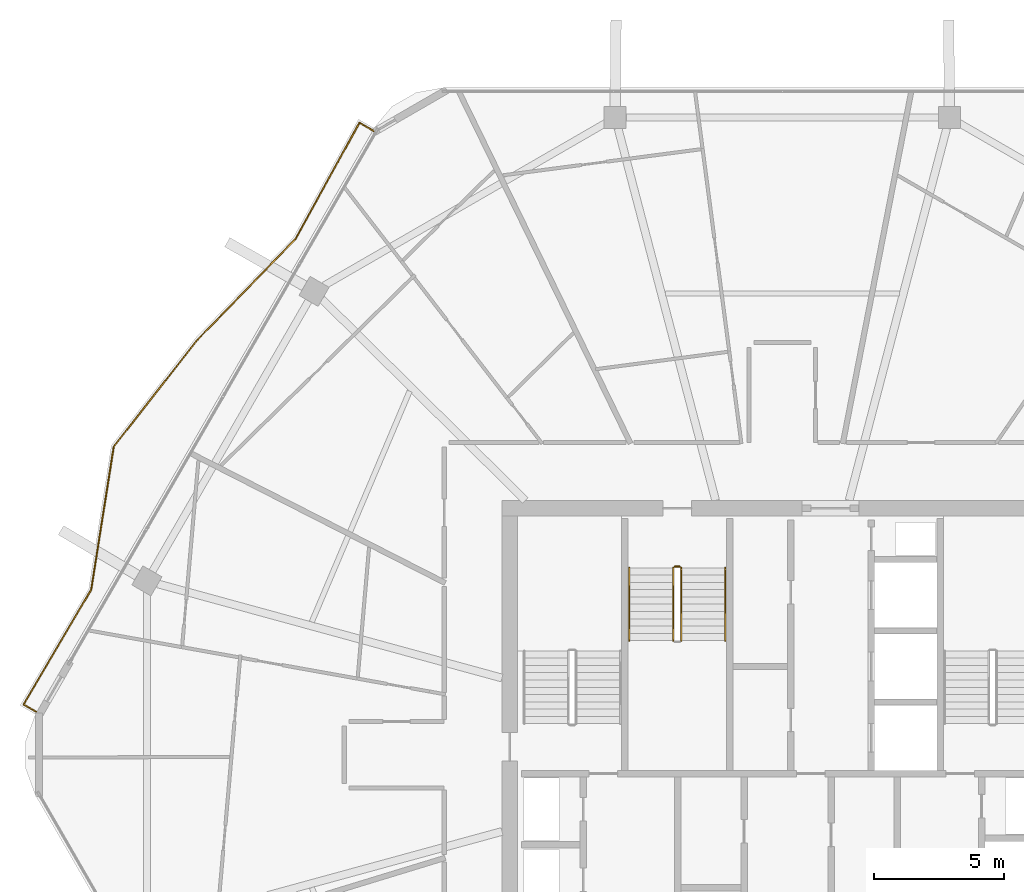
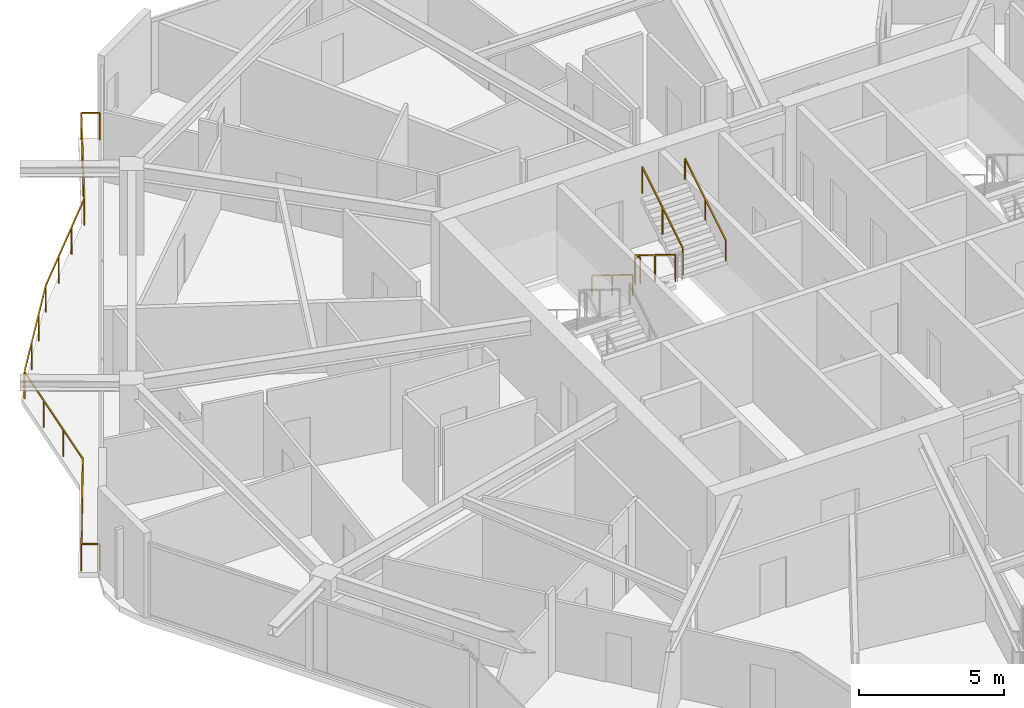
# One storey, part 26 of 26: 6 railings.
"""IFC4 building model written with IfcOpenShell, lengths in metres."""

from ifc_helpers import new_model, si_unit, direction, frame, origin, origin_2d, place, context, subcontext, project, spatial, rectangle, extrude, material, type_object, element, save


model = new_model("IFC4")

# Units and contexts
model_context = context("Model", 3, precision=1e-05, world=origin(), true_north=direction((0.0, 1.0)))
body_context = subcontext(model_context, "Body", "Model", "MODEL_VIEW")
ifc_project = project(units=[si_unit("LENGTHUNIT", "METRE"), si_unit("AREAUNIT", "SQUARE_METRE"), si_unit("VOLUMEUNIT", "CUBIC_METRE"), si_unit("PLANEANGLEUNIT", "RADIAN"), si_unit("MASSUNIT", "GRAM", prefix="KILO")], contexts=[model_context])

# Site, building, storey
site_placement = place(None, origin())
site = spatial("IfcSite", under=ifc_project, at=site_placement, CompositionType="ELEMENT")
building_placement = place(site_placement, origin())
building = spatial("IfcBuilding", under=site, at=building_placement, Name="Zuhravey Tower", CompositionType="ELEMENT")
storey_placement = place(building_placement, frame((0.0, 0.0, 280.60009765625)))
storey = spatial("IfcBuildingStorey", under=building, at=storey_placement, Name="L71", CompositionType="ELEMENT", Elevation=280.60009765625)

# Railings
ifc_material_1 = material(Name="Stainless steel 316 and laminated glass", Category="steel")
railing_type_1 = type_object("IfcRailingType", Name="Balcony & Terrace Guardrail 1150", PredefinedType="BALUSTRADE", material=ifc_material_1)
railing_1_placement = place(storey_placement, frame((7.31689453125, 33.61669921875, 0.0)))
element("IfcRailing", 1, at=railing_1_placement, inside=storey, type_object=railing_type_1, Name="L71 Face 3 Wave Balcony Guardrail GR1", PredefinedType="BALUSTRADE", context=body_context, shape_type="SweptSolid", body=[
    extrude(rectangle(XDim=0.048095703125, YDim=0.048095703125, at=origin_2d()), frame((-0.001708984375, 0.0009765625, 1.1259765625), z_axis=(-0.866001097133, 0.500042097992, 0.0), x_axis=(-0.500042097992, -0.866001097133, 0.0)), (0.0, 0.0, 1.0), 0.635009765625),
    extrude(rectangle(XDim=0.048095703125, YDim=0.048095703125, at=origin_2d()), frame((-0.552490234375, 0.3212890625, 1.1259765625), z_axis=(0.507458486453, 0.861676206314, 0.0), x_axis=(-0.861676206314, 0.507458486453, 0.0)), (0.0, 0.0, 1.0), 5.130859375),
    extrude(rectangle(XDim=0.048095703125, YDim=0.048095703125, at=origin_2d()), frame((2.052490234375, 4.74609375, 1.1259765625), z_axis=(0.155874982723, 0.987776791467, 0.0), x_axis=(-0.987776791467, 0.155874982723, 0.0)), (0.0, 0.0, 1.0), 5.578125),
    extrude(rectangle(XDim=0.048095703125, YDim=0.048095703125, at=origin_2d()), frame((2.923583984375, 10.259521484375, 1.1259765625), z_axis=(0.616824692984, 0.787100564175, 0.0), x_axis=(-0.787100564175, 0.616824692984, 0.0)), (0.0, 0.0, 1.0), 5.233642578125),
    extrude(rectangle(XDim=0.048095703125, YDim=0.048095703125, at=origin_2d()), frame((6.154541015625, 14.382080078125, 1.1259765625), z_axis=(0.697760458343, 0.716331168367, 0.0), x_axis=(-0.716331168367, 0.697760458343, 0.0)), (0.0, 0.0, 1.0), 5.385986328125),
    extrude(rectangle(XDim=0.048095703125, YDim=0.048095703125, at=origin_2d()), frame((9.9150390625, 18.243408203125, 1.1259765625), z_axis=(0.482536200634, 0.875876027231, 0.0), x_axis=(-0.875876027231, 0.482536200634, 0.0)), (0.0, 0.0, 1.0), 5.125244140625),
    extrude(rectangle(XDim=0.048095703125, YDim=0.048095703125, at=origin_2d()), frame((12.390869140625, 22.7333984375, 1.1259765625), z_axis=(0.865854018966, -0.500296729792, 0.0), x_axis=(0.500296729792, 0.865854018966, 0.0)), (0.0, 0.0, 1.0), 0.6337890625),
    extrude(rectangle(XDim=0.0419921875, YDim=0.0419921875, at=origin_2d()), origin(), (0.0, 0.0, 1.0), 1.099853515625),
    extrude(rectangle(XDim=0.0419921875, YDim=0.0419921875, at=origin_2d()), frame((-0.553466796875, 0.319580078125, 0.0)), (0.0, 0.0, 1.0), 1.099853515625),
    extrude(rectangle(XDim=0.0419921875, YDim=0.0419921875, at=origin_2d()), frame((0.315185546875, 1.79443359375, 0.0)), (0.0, 0.0, 1.0), 1.099853515625),
    extrude(rectangle(XDim=0.0419921875, YDim=0.0419921875, at=origin_2d()), frame((1.18359375, 3.269287109375, 0.0)), (0.0, 0.0, 1.0), 1.099853515625),
    extrude(rectangle(XDim=0.0419921875, YDim=0.0419921875, at=origin_2d()), frame((2.05224609375, 4.744140625, 0.0)), (0.0, 0.0, 1.0), 1.099853515625),
    extrude(rectangle(XDim=0.0419921875, YDim=0.0419921875, at=origin_2d()), frame((2.34228515625, 6.58203125, 0.0)), (0.0, 0.0, 1.0), 1.099853515625),
    extrude(rectangle(XDim=0.0419921875, YDim=0.0419921875, at=origin_2d()), frame((2.63232421875, 8.420166015625, 0.0)), (0.0, 0.0, 1.0), 1.099853515625),
    extrude(rectangle(XDim=0.0419921875, YDim=0.0419921875, at=origin_2d()), frame((2.92236328125, 10.258056640625, 0.0)), (0.0, 0.0, 1.0), 1.099853515625),
    extrude(rectangle(XDim=0.0419921875, YDim=0.0419921875, at=origin_2d()), frame((3.999267578125, 11.63232421875, 0.0)), (0.0, 0.0, 1.0), 1.099853515625),
    extrude(rectangle(XDim=0.0419921875, YDim=0.0419921875, at=origin_2d()), frame((5.076171875, 13.00634765625, 0.0)), (0.0, 0.0, 1.0), 1.099853515625),
    extrude(rectangle(XDim=0.0419921875, YDim=0.0419921875, at=origin_2d()), frame((6.153076171875, 14.380615234375, 0.0)), (0.0, 0.0, 1.0), 1.099853515625),
    extrude(rectangle(XDim=0.0419921875, YDim=0.0419921875, at=origin_2d()), frame((7.40673828125, 15.667724609375, 0.0)), (0.0, 0.0, 1.0), 1.099853515625),
    extrude(rectangle(XDim=0.0419921875, YDim=0.0419921875, at=origin_2d()), frame((8.660400390625, 16.95458984375, 0.0)), (0.0, 0.0, 1.0), 1.099853515625),
    extrude(rectangle(XDim=0.0419921875, YDim=0.0419921875, at=origin_2d()), frame((9.9140625, 18.24169921875, 0.0)), (0.0, 0.0, 1.0), 1.099853515625),
    extrude(rectangle(XDim=0.0419921875, YDim=0.0419921875, at=origin_2d()), frame((10.739013671875, 19.7392578125, 0.0)), (0.0, 0.0, 1.0), 1.099853515625),
    extrude(rectangle(XDim=0.0419921875, YDim=0.0419921875, at=origin_2d()), frame((11.564208984375, 21.23681640625, 0.0)), (0.0, 0.0, 1.0), 1.099853515625),
    extrude(rectangle(XDim=0.0419921875, YDim=0.0419921875, at=origin_2d()), frame((12.38916015625, 22.734375, 0.0)), (0.0, 0.0, 1.0), 1.099853515625),
    extrude(rectangle(XDim=0.0419921875, YDim=0.0419921875, at=origin_2d()), frame((12.94140625, 22.415283203125, 0.0)), (0.0, 0.0, 1.0), 1.099853515625),
])
ifc_material_2 = material(Name="Brushed stainless steel", Category="steel")
railing_type_2 = type_object("IfcRailingType", Name="Stair Wall Handrail 900", PredefinedType="HANDRAIL", material=ifc_material_2)
railing_2_placement = place(storey_placement, frame((30.10009765625, 39.199951171875, 0.172607421875)))
element("IfcRailing", 2, at=railing_2_placement, inside=storey, type_object=railing_type_2, Name="L71 ST3 stair handrail 1", PredefinedType="HANDRAIL", context=body_context, shape_type="SweptSolid", body=[
    extrude(rectangle(XDim=0.048095703125, YDim=0.048095703125, at=origin_2d()), frame((0.0, -0.001708984375, 0.876953125), z_axis=(0.0, -0.851089632645, 0.525020415988), x_axis=(1.0, 0.0, 0.0)), (0.0, 0.0, 1.0), 3.285888671875),
    extrude(rectangle(XDim=0.0419921875, YDim=0.0419921875, at=origin_2d()), origin(), (0.0, 0.0, 1.0), 0.849853515625),
    extrude(rectangle(XDim=0.0419921875, YDim=0.0419921875, at=origin_2d()), frame((0.0, -1.39990234375, 0.86376953125)), (0.0, 0.0, 1.0), 0.849853515625),
    extrude(rectangle(XDim=0.0419921875, YDim=0.0419921875, at=origin_2d()), frame((0.0, -2.800048828125, 1.727294921875)), (0.0, 0.0, 1.0), 0.849853515625),
])
railing_3_placement = place(storey_placement, frame((33.800048828125, 36.39990234375, 2.072509765625)))
element("IfcRailing", 3, at=railing_3_placement, inside=storey, type_object=railing_type_2, Name="L71 ST3 stair handrail 2", PredefinedType="HANDRAIL", context=body_context, shape_type="SweptSolid", body=[
    extrude(rectangle(XDim=0.048095703125, YDim=0.048095703125, at=origin_2d()), frame((0.0, 0.001708984375, 0.876953125), z_axis=(0.0, 0.851089632645, 0.525020415988), x_axis=(-1.0, 0.0, 0.0)), (0.0, 0.0, 1.0), 3.285888671875),
    extrude(rectangle(XDim=0.0419921875, YDim=0.0419921875, at=origin_2d()), origin(), (0.0, 0.0, 1.0), 0.849853515625),
    extrude(rectangle(XDim=0.0419921875, YDim=0.0419921875, at=origin_2d()), frame((0.0, 1.39990234375, 0.86376953125)), (0.0, 0.0, 1.0), 0.849853515625),
    extrude(rectangle(XDim=0.0419921875, YDim=0.0419921875, at=origin_2d()), frame((0.0, 2.800048828125, 1.727294921875)), (0.0, 0.0, 1.0), 0.849853515625),
])
ifc_material_3 = material(Name="Painted tubular steel", Category="steel")
railing_type_3 = type_object("IfcRailingType", Name="Stair Well Guardrail 1150", PredefinedType="GUARDRAIL", material=ifc_material_3)
railing_4_placement = place(storey_placement, frame((31.800048828125, 39.199951171875, 0.172607421875)))
element("IfcRailing", 4, at=railing_4_placement, inside=storey, type_object=railing_type_3, Name="L71 ST3 stair guard 1", PredefinedType="GUARDRAIL", context=body_context, shape_type="SweptSolid", body=[
    extrude(rectangle(XDim=0.048095703125, YDim=0.048095703125, at=origin_2d()), frame((0.0, -0.001708984375, 1.126953125), z_axis=(0.0, -0.851089632645, 0.525020415988), x_axis=(1.0, 0.0, 0.0)), (0.0, 0.0, 1.0), 3.285888671875),
    extrude(rectangle(XDim=0.0419921875, YDim=0.0419921875, at=origin_2d()), origin(), (0.0, 0.0, 1.0), 1.099853515625),
    extrude(rectangle(XDim=0.0419921875, YDim=0.0419921875, at=origin_2d()), frame((0.0, -1.39990234375, 0.86376953125)), (0.0, 0.0, 1.0), 1.099853515625),
    extrude(rectangle(XDim=0.0419921875, YDim=0.0419921875, at=origin_2d()), frame((0.0, -2.800048828125, 1.727294921875)), (0.0, 0.0, 1.0), 1.099853515625),
])
railing_5_placement = place(storey_placement, frame((32.10009765625, 36.39990234375, 2.072509765625)))
element("IfcRailing", 5, at=railing_5_placement, inside=storey, type_object=railing_type_3, Name="L71 ST3 stair guard 3", PredefinedType="GUARDRAIL", context=body_context, shape_type="SweptSolid", body=[
    extrude(rectangle(XDim=0.048095703125, YDim=0.048095703125, at=origin_2d()), frame((0.0, 0.001708984375, 1.126953125), z_axis=(0.0, 0.851089632645, 0.525020415988), x_axis=(-1.0, 0.0, 0.0)), (0.0, 0.0, 1.0), 3.285888671875),
    extrude(rectangle(XDim=0.0419921875, YDim=0.0419921875, at=origin_2d()), origin(), (0.0, 0.0, 1.0), 1.099853515625),
    extrude(rectangle(XDim=0.0419921875, YDim=0.0419921875, at=origin_2d()), frame((0.0, 1.39990234375, 0.86376953125)), (0.0, 0.0, 1.0), 1.099853515625),
    extrude(rectangle(XDim=0.0419921875, YDim=0.0419921875, at=origin_2d()), frame((0.0, 2.800048828125, 1.727294921875)), (0.0, 0.0, 1.0), 1.099853515625),
])
railing_6_placement = place(storey_placement, frame((31.85009765625, 39.25, 0.0)))
element("IfcRailing", 6, at=railing_6_placement, inside=storey, type_object=railing_type_3, Name="L71 ST3 stair guard 4", PredefinedType="GUARDRAIL", context=body_context, shape_type="SweptSolid", body=[
    extrude(rectangle(XDim=0.048095703125, YDim=0.048095703125, at=origin_2d()), frame((0.001953125, 0.0, 1.1259765625), z_axis=(1.0, 0.0, 0.0), x_axis=(0.0, 1.0, 0.0)), (0.0, 0.0, 1.0), 0.196044921875),
    extrude(rectangle(XDim=0.0419921875, YDim=0.0419921875, at=origin_2d()), origin(), (0.0, 0.0, 1.0), 1.099853515625),
    extrude(rectangle(XDim=0.0419921875, YDim=0.0419921875, at=origin_2d()), frame((0.199951171875, 0.0, 0.0)), (0.0, 0.0, 1.0), 1.099853515625),
])

save(model, "model.ifc")
